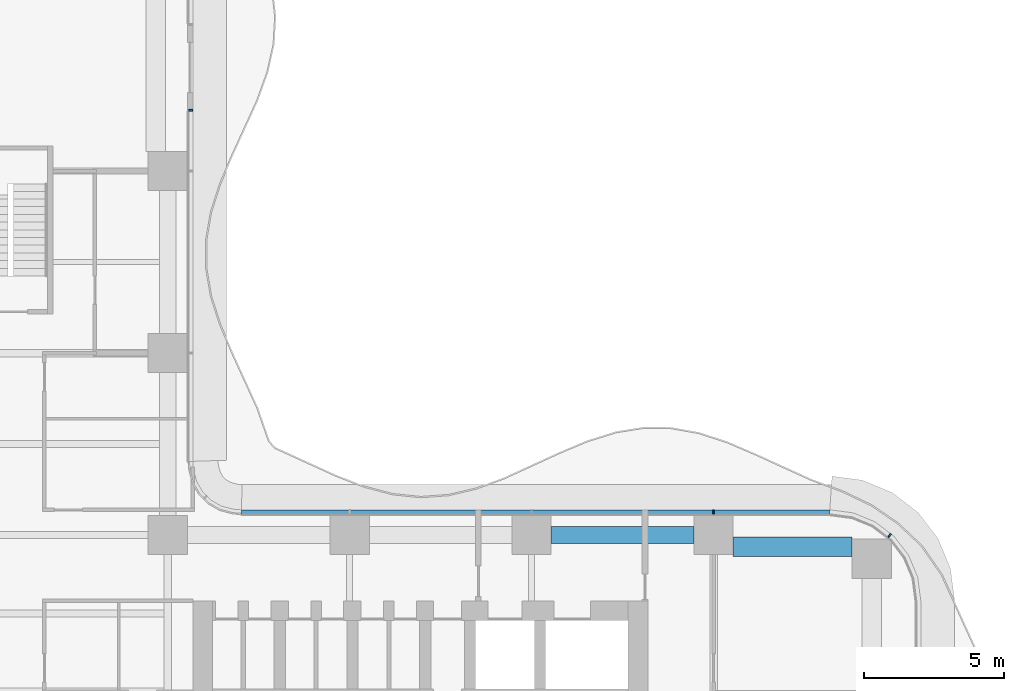
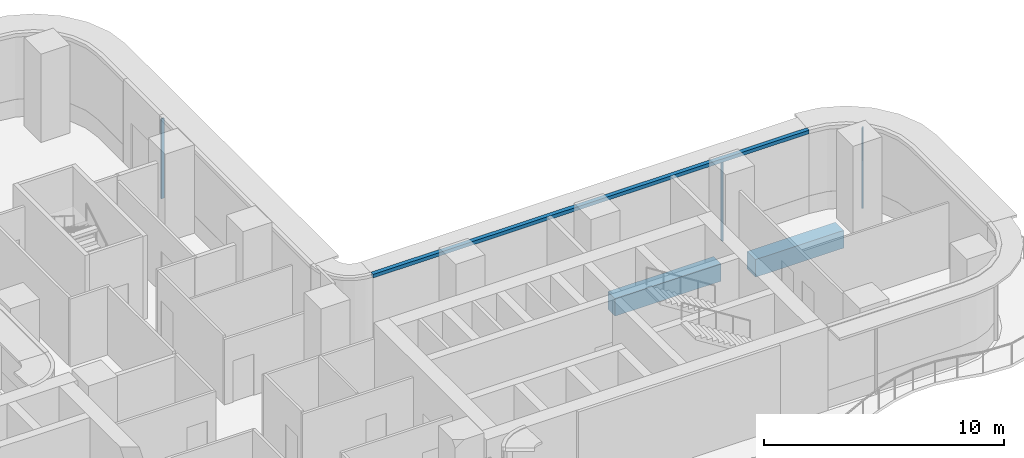
# One storey, part 11 of 22: 4 members, 2 beams, 3 elements without a shape of their own.
"""IFC4 building model written with IfcOpenShell, lengths in metres."""

from ifc_helpers import new_model, si_unit, direction, frame, origin, origin_2d, place, context, subcontext, project, spatial, polyline, rectangle, outline, extrude, source, transform, mapped, material, layer, layer_set, material_profile, profile_set, type_object, element, aggregate, save


model = new_model("IFC4")

# Units and contexts
model_context = context("Model", 3, precision=1e-05, world=origin(), true_north=direction((0.0, 1.0)))
body_context = subcontext(model_context, "Body", "Model", "MODEL_VIEW")
ifc_project = project(units=[si_unit("LENGTHUNIT", "METRE"), si_unit("AREAUNIT", "SQUARE_METRE"), si_unit("VOLUMEUNIT", "CUBIC_METRE"), si_unit("PLANEANGLEUNIT", "RADIAN"), si_unit("MASSUNIT", "GRAM", prefix="KILO")], contexts=[model_context])

# Site, building, storey
site_placement = place(None, origin())
site = spatial("IfcSite", under=ifc_project, at=site_placement, CompositionType="ELEMENT")
building_placement = place(site_placement, origin())
building = spatial("IfcBuilding", under=site, at=building_placement, Name="Trellis Farm Tower", CompositionType="ELEMENT")
storey_placement = place(building_placement, frame((0.0, 0.0, 47.5)))
storey = spatial("IfcBuildingStorey", under=building, at=storey_placement, Name="L09", CompositionType="ELEMENT", Elevation=47.5)

# Beams
ifc_material_1 = material(Name="Concrete C60/75", Category="concrete")
ifc_material_profile_1 = material_profile(ifc_material_1, rectangle(XDim=0.60009765625, YDim=0.89990234375, at=origin_2d()), Name="RC spandrel beam 600x900 C60/75")
ifc_profile_set_1 = profile_set([ifc_material_profile_1], Name="Concrete C60/75")
beam_type_1 = type_object("IfcBeamType", Name="RC spandrel beam 600x900 C60/75", PredefinedType="SPANDREL", material=ifc_profile_set_1)
shared_shape_1 = source(origin(), body_context, "Body", "SweptSolid", [
    extrude(rectangle(XDim=0.60009765625, YDim=0.89990234375, at=origin_2d()), origin(), (0.0, 0.0, 1.0), 5.099853515625),
])
beam_1_placement = place(storey_placement, frame((19.300048828125, 5.60009765625, -0.699951171875), z_axis=(1.0, 0.0, 0.0), x_axis=(0.0, 1.0, 0.0)))
element("IfcBeam", 1, at=beam_1_placement, inside=storey, type_object=beam_type_1, Name="Girder", PredefinedType="SPANDREL", context=body_context, shape_type="MappedRepresentation", body=[
    mapped(shared_shape_1, transform((0.0, 0.0, 0.0))),
])
ifc_material_profile_2 = material_profile(ifc_material_1, rectangle(XDim=0.699951171875, YDim=0.89990234375, at=origin_2d()), Name="RC spandrel beam 700x900 C60/75")
ifc_profile_set_2 = profile_set([ifc_material_profile_2], Name="Concrete C60/75")
beam_type_2 = type_object("IfcBeamType", Name="RC spandrel beam 700x900 C60/75", PredefinedType="SPANDREL", material=ifc_profile_set_2)
shared_shape_2 = source(origin(), body_context, "Body", "SweptSolid", [
    extrude(rectangle(XDim=0.699951171875, YDim=0.89990234375, at=origin_2d()), origin(), (0.0, 0.0, 1.0), 4.25),
])
beam_2_placement = place(storey_placement, frame((25.800048828125, 5.175048828125, -0.699951171875), z_axis=(1.0, 0.0, 0.0), x_axis=(0.0, 1.0, 0.0)))
element("IfcBeam", 2, at=beam_2_placement, inside=storey, type_object=beam_type_2, Name="Girder", PredefinedType="SPANDREL", context=body_context, shape_type="MappedRepresentation", body=[
    mapped(shared_shape_2, transform((0.0, 0.0, 0.0))),
])

# Curtain wall, member
ifc_material_2 = material(Name="Aluminium and glass curtain wall", Category="aluminium")
ifc_layer_1 = layer(ifc_material_2, 0.18994140625)
ifc_layer_set_1 = layer_set([ifc_layer_1], Name="RIBBON CURTAIN WALL CW1")
curtain_wall_type = type_object("IfcCurtainWallType", Name="RIBBON CURTAIN WALL CW1", PredefinedType="NOTDEFINED", material=ifc_layer_set_1)
placement = place(storey_placement, origin())
curtain_wall_1 = element("IfcCurtainWall", 3, at=placement, inside=storey, type_object=curtain_wall_type, Name="CW1 006", PredefinedType="NOTDEFINED")
ifc_material_3 = material(Name="Aluminium extrusion 6063-T6", Category="aluminium")
ifc_material_profile_3 = material_profile(ifc_material_3, rectangle(XDim=0.06005859375, YDim=0.14990234375, at=origin_2d()), Name="MULLION 60x150")
ifc_profile_set_3 = profile_set([ifc_material_profile_3], Name="Aluminium extrusion 6063-T6")
member_type_1 = type_object("IfcMemberType", Name="CW1 MULLION 60x150", PredefinedType="MULLION", material=ifc_profile_set_3)
shared_shape_3 = source(origin(), body_context, "Body", "SweptSolid", [
    extrude(rectangle(XDim=0.06005859375, YDim=0.14990234375, at=origin_2d()), origin(), (0.0, 0.0, 1.0), 4.070068359375),
])
member_1_placement = place(storey_placement, frame((31.385498046875, 5.578369140625, 0.0), z_axis=(0.0, 0.0, 1.0), x_axis=(-0.793353340291, 0.608761429009, 0.0)))
member_1 = element("IfcMember", 4, at=member_1_placement, type_object=member_type_1, Name="MU1 006-02", PredefinedType="MULLION", context=body_context, shape_type="MappedRepresentation", body=[
    mapped(shared_shape_3, transform((0.0, 0.0, 0.0))),
])
aggregate(curtain_wall_1, [member_1])

curtain_wall_2 = element("IfcCurtainWall", 5, at=placement, inside=storey, type_object=curtain_wall_type, Name="CW1 007", PredefinedType="NOTDEFINED")
member_2_placement = place(storey_placement, frame((25.10009765625, 6.425048828125, 0.0), z_axis=(0.0, 0.0, 1.0), x_axis=(-1.0, 0.0, 0.0)))
member_2 = element("IfcMember", 6, at=member_2_placement, type_object=member_type_1, Name="MU1 007-01", PredefinedType="MULLION", context=body_context, shape_type="MappedRepresentation", body=[
    mapped(shared_shape_3, transform((0.0, 0.0, 0.0))),
])

curtain_wall_3 = element("IfcCurtainWall", 7, at=placement, inside=storey, type_object=curtain_wall_type, Name="CW1 008", PredefinedType="NOTDEFINED")
member_3_placement = place(storey_placement, frame((6.425048828125, 20.77001953125, 0.0), z_axis=(0.0, 0.0, 1.0), x_axis=(0.0, 1.0, 0.0)))
member_3 = element("IfcMember", 8, at=member_3_placement, type_object=member_type_1, Name="MU1 008-03", PredefinedType="MULLION", context=body_context, shape_type="MappedRepresentation", body=[
    mapped(shared_shape_3, transform((0.0, 0.0, 0.0))),
])
aggregate(curtain_wall_3, [member_3])

# Member
ifc_layer_2 = layer(ifc_material_3, 0.199951171875)
ifc_layer_set_2 = layer_set([ifc_layer_2], Name="Aluminium extrusion 6063-T6")
member_type_2 = type_object("IfcMemberType", Name="CW1 TRANSOM 200x180", PredefinedType="USERDEFINED", material=ifc_layer_set_2)
shared_shape_4 = source(origin(), body_context, "Body", "SweptSolid", [
    extrude(outline(polyline([(29.25, 6.5), (8.2314453125, 6.5), (8.224853515625, 6.300048828125), (29.23681640625, 6.300048828125), (29.25, 6.5)])), origin(), (0.0, 0.0, 1.0), 0.179931640625),
])
member_4_placement = place(storey_placement, frame((0.0, 0.0, 4.070068359375)))
member_4 = element("IfcMember", 9, at=member_4_placement, type_object=member_type_2, Name="TR1 007", ObjectType="TRANSOM", PredefinedType="USERDEFINED", context=body_context, shape_type="MappedRepresentation", body=[
    mapped(shared_shape_4, transform((0.0, 0.0, 0.0))),
])

aggregate(curtain_wall_2, [member_2, member_4])

save(model, "model.ifc")
